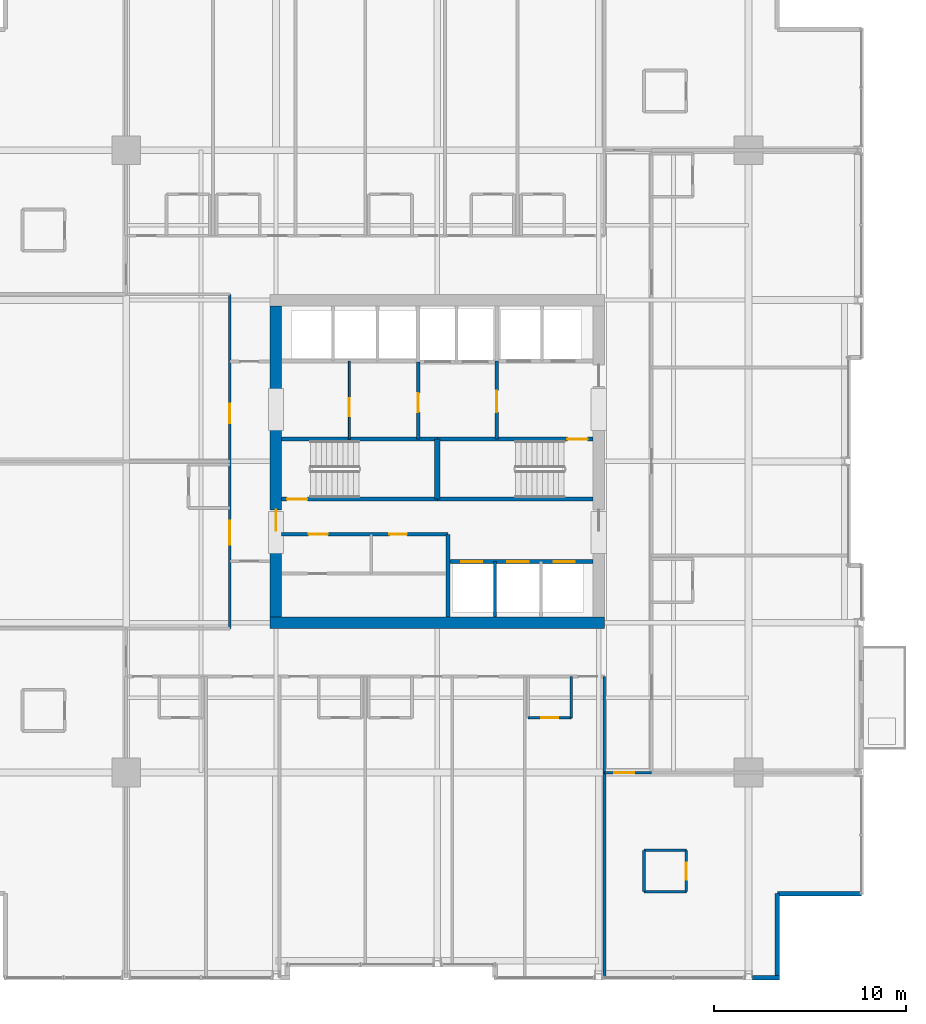
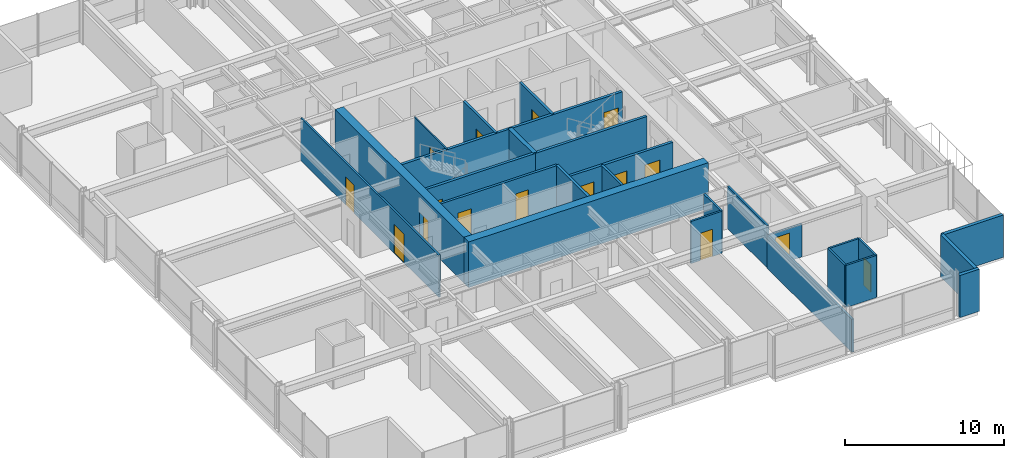
# One storey, part 29 of 34: 27 walls, 16 doors, 16 openings.
"""IFC4 building model written with IfcOpenShell, lengths in metres."""

from ifc_helpers import new_model, si_unit, direction, frame, frame_2d, origin, place, context, subcontext, project, spatial, rectangle, extrude, material, layer, layer_set, type_object, element, fill, save


model = new_model("IFC4")

# Units and contexts
model_context = context("Model", 3, precision=1e-05, world=origin(), true_north=direction((0.0, 1.0)))
body_context = subcontext(model_context, "Body", "Model", "MODEL_VIEW")
ifc_project = project(units=[si_unit("LENGTHUNIT", "METRE"), si_unit("AREAUNIT", "SQUARE_METRE"), si_unit("VOLUMEUNIT", "CUBIC_METRE"), si_unit("PLANEANGLEUNIT", "RADIAN"), si_unit("MASSUNIT", "GRAM", prefix="KILO")], contexts=[model_context])

# Site, building, storey
site_placement = place(None, origin())
site = spatial("IfcSite", under=ifc_project, at=site_placement, CompositionType="ELEMENT")
building_placement = place(site_placement, origin())
building = spatial("IfcBuilding", under=site, at=building_placement, Name="Drelvath Grand Hotel", CompositionType="ELEMENT")
storey_placement = place(building_placement, frame((0.0, 0.0, 133.800048828125)))
storey = spatial("IfcBuildingStorey", under=building, at=storey_placement, Name="L34", CompositionType="ELEMENT", Elevation=133.800048828125)

# Wall, opening, door
ifc_material_1 = material(Name="Gypsum Partition Board")
ifc_layer_1 = layer(ifc_material_1, 0.10009765625)
ifc_layer_set_1 = layer_set([ifc_layer_1], Name="Gypsum Partition Board")
wall_type_1 = type_object("IfcWallType", Name="Core Closet Partition 100", PredefinedType="PARTITIONING", material=ifc_layer_set_1)
wall_1_placement = place(storey_placement, frame((-4.580078125, 28.159912109375, 0.0), z_axis=(0.0, 0.0, 1.0), x_axis=(0.0, 1.0, 0.0)))
wall_1 = element("IfcWall", 1, at=wall_1_placement, inside=storey, type_object=wall_type_1, Name="L34 Core Closet Divider", PredefinedType="PARTITIONING", context=body_context, shape_type="SweptSolid", body=[
    extrude(rectangle(XDim=4.06005859375, YDim=0.10009765625, at=frame_2d((2.030029296875, 0.0))), origin(), (0.0, 0.0, 1.0), 3.239990234375),
])
opening_1_placement = place(wall_1_placement, frame((1.199951171875, 0.0, 0.0)))
opening_1 = element("IfcOpeningElement", 2, at=opening_1_placement, cuts=wall_1, Name="Opening D-T2G5-010", PredefinedType="OPENING", context=body_context, shape_type="SweptSolid", body=[
    extrude(rectangle(XDim=0.919921875, YDim=2.10009765625, at=frame_2d((0.4599609375, 1.050048828125))), frame((0.0, 0.06005859375, 0.0), z_axis=(0.0, -1.0, 0.0), x_axis=(1.0, 0.0, 0.0)), (0.0, 0.0, 1.0), 0.1201171875),
])
ifc_material_2 = material(Name="Painted Steel S275", Category="steel")
door_type_1 = type_object("IfcDoorType", Name="Staff Utility Door 920x2100", OperationType="NOTDEFINED", PredefinedType="DOOR", material=ifc_material_2)
door_1_placement = place(opening_1_placement, origin())
door_1 = element("IfcDoor", 3, at=door_1_placement, inside=storey, type_object=door_type_1, Name="L34 Electrical Closet Door", OperationType="SINGLE_SWING_RIGHT", OverallHeight=2.10009765625, OverallWidth=0.919921875, PredefinedType="DOOR", context=body_context, shape_type="SweptSolid", body=[
    extrude(rectangle(XDim=0.919921875, YDim=2.10009765625, at=frame_2d((0.4599609375, 1.050048828125))), frame((0.0, 0.02490234375, 0.0), z_axis=(0.0, -1.0, 0.0), x_axis=(1.0, 0.0, 0.0)), (0.0, 0.0, 1.0), 0.050048828125),
])
fill(opening_1, door_1)

# Wall, openings, doors
ifc_material_3 = material(Name="Concrete C40/50", Category="concrete")
ifc_layer_2 = layer(ifc_material_3, 0.199951171875)
ifc_layer_set_2 = layer_set([ifc_layer_2], Name="Concrete C40/50")
wall_type_2 = type_object("IfcWallType", Name="Core Hoistway Fire Wall 200", PredefinedType="SOLIDWALL", material=ifc_layer_set_2)
wall_2_placement = place(storey_placement, frame((8.10009765625, 21.780029296875, 0.0), z_axis=(0.0, 0.0, 1.0), x_axis=(-1.0, 0.0, 0.0)))
wall_2 = element("IfcWall", 4, at=wall_2_placement, inside=storey, type_object=wall_type_2, Name="L34 Bank 2 Hoistway Wall", PredefinedType="SOLIDWALL", context=body_context, shape_type="SweptSolid", body=[
    extrude(rectangle(XDim=7.550048828125, YDim=0.199951171875, at=frame_2d((3.77490234375, 0.0))), origin(), (0.0, 0.0, 1.0), 3.239990234375),
])
opening_2_placement = place(wall_2_placement, frame((5.75, 0.0, 0.0)))
opening_2 = element("IfcOpeningElement", 5, at=opening_2_placement, cuts=wall_2, Name="Opening LD-PE-4", PredefinedType="OPENING", context=body_context, shape_type="SweptSolid", body=[
    extrude(rectangle(XDim=1.10009765625, YDim=2.199951171875, at=frame_2d((0.550048828125, 1.10009765625))), frame((0.0, 0.10986328125, 0.0), z_axis=(0.0, -1.0, 0.0), x_axis=(1.0, 0.0, 0.0)), (0.0, 0.0, 1.0), 0.219970703125),
])
opening_3_placement = place(wall_2_placement, frame((3.35009765625, 0.0, 0.0)))
opening_3 = element("IfcOpeningElement", 6, at=opening_3_placement, cuts=wall_2, Name="Opening LD-PE-5", PredefinedType="OPENING", context=body_context, shape_type="SweptSolid", body=[
    extrude(rectangle(XDim=1.10009765625, YDim=2.199951171875, at=frame_2d((0.550048828125, 1.10009765625))), frame((0.0, 0.10986328125, 0.0), z_axis=(0.0, -1.0, 0.0), x_axis=(1.0, 0.0, 0.0)), (0.0, 0.0, 1.0), 0.219970703125),
])
opening_4_placement = place(wall_2_placement, frame((0.949951171875, 0.0, 0.0)))
opening_4 = element("IfcOpeningElement", 7, at=opening_4_placement, cuts=wall_2, Name="Opening LD-PE-6", PredefinedType="OPENING", context=body_context, shape_type="SweptSolid", body=[
    extrude(rectangle(XDim=1.10009765625, YDim=2.199951171875, at=frame_2d((0.550048828125, 1.10009765625))), frame((0.0, 0.10986328125, 0.0), z_axis=(0.0, -1.0, 0.0), x_axis=(1.0, 0.0, 0.0)), (0.0, 0.0, 1.0), 0.219970703125),
])
ifc_material_4 = material(Name="Stainless Steel S355", Category="steel")
door_type_2 = type_object("IfcDoorType", Name="Passenger Lift Sliding Landing Door 1100x2200", OperationType="NOTDEFINED", PredefinedType="DOOR", material=ifc_material_4)
door_2_placement = place(opening_2_placement, origin())
door_2 = element("IfcDoor", 8, at=door_2_placement, inside=storey, type_object=door_type_2, Name="L34 Lift PE-4 Landing Door", OperationType="SLIDING_TO_LEFT", OverallHeight=2.199951171875, OverallWidth=1.10009765625, PredefinedType="DOOR", context=body_context, shape_type="SweptSolid", body=[
    extrude(rectangle(XDim=1.10009765625, YDim=2.199951171875, at=frame_2d((0.550048828125, 1.10009765625))), frame((0.0, 0.02490234375, 0.0), z_axis=(0.0, -1.0, 0.0), x_axis=(1.0, 0.0, 0.0)), (0.0, 0.0, 1.0), 0.050048828125),
])
fill(opening_2, door_2)
door_3_placement = place(opening_3_placement, origin())
door_3 = element("IfcDoor", 9, at=door_3_placement, inside=storey, type_object=door_type_2, Name="L34 Lift PE-5 Landing Door", OperationType="SLIDING_TO_LEFT", OverallHeight=2.199951171875, OverallWidth=1.10009765625, PredefinedType="DOOR", context=body_context, shape_type="SweptSolid", body=[
    extrude(rectangle(XDim=1.10009765625, YDim=2.199951171875, at=frame_2d((0.550048828125, 1.10009765625))), frame((0.0, 0.02490234375, 0.0), z_axis=(0.0, -1.0, 0.0), x_axis=(1.0, 0.0, 0.0)), (0.0, 0.0, 1.0), 0.050048828125),
])
fill(opening_3, door_3)
door_4_placement = place(opening_4_placement, origin())
door_4 = element("IfcDoor", 10, at=door_4_placement, inside=storey, type_object=door_type_2, Name="L34 Lift PE-6 Landing Door", OperationType="SLIDING_TO_LEFT", OverallHeight=2.199951171875, OverallWidth=1.10009765625, PredefinedType="DOOR", context=body_context, shape_type="SweptSolid", body=[
    extrude(rectangle(XDim=1.10009765625, YDim=2.199951171875, at=frame_2d((0.550048828125, 1.10009765625))), frame((0.0, 0.02490234375, 0.0), z_axis=(0.0, -1.0, 0.0), x_axis=(1.0, 0.0, 0.0)), (0.0, 0.0, 1.0), 0.050048828125),
])
fill(opening_4, door_4)

# Wall
wall_3_placement = place(storey_placement, frame((0.550048828125, 18.89990234375, 0.0), z_axis=(0.0, 0.0, 1.0), x_axis=(0.0, 1.0, 0.0)))
element("IfcWall", 11, at=wall_3_placement, inside=storey, type_object=wall_type_2, Name="L34 Bank 2 West Wall", PredefinedType="SOLIDWALL", context=body_context, shape_type="SweptSolid", body=[
    extrude(rectangle(XDim=4.300048828125, YDim=0.199951171875, at=frame_2d((2.14990234375, 0.0))), origin(), (0.0, 0.0, 1.0), 3.239990234375),
])

# Wall, opening, door
ifc_layer_3 = layer(ifc_material_3, 0.199951171875)
ifc_layer_set_3 = layer_set([ifc_layer_3], Name="Concrete C40/50")
wall_type_3 = type_object("IfcWallType", Name="Core Shaft Fire Wall 200", PredefinedType="SOLIDWALL", material=ifc_layer_set_3)
wall_4_placement = place(storey_placement, frame((-8.10009765625, 25.0400390625, 0.0), z_axis=(0.0, 0.0, 1.0), x_axis=(1.0, 0.0, 0.0)))
wall_4 = element("IfcWall", 12, at=wall_4_placement, inside=storey, type_object=wall_type_3, Name="L34 Stair ST-1 South Wall", PredefinedType="SOLIDWALL", context=body_context, shape_type="SweptSolid", body=[
    extrude(rectangle(XDim=8.10009765625, YDim=0.199951171875, at=frame_2d((4.050048828125, 0.0))), origin(), (0.0, 0.0, 1.0), 3.239990234375),
])
opening_5_placement = place(wall_4_placement, frame((0.280029296875, 0.0, 0.0)))
opening_5 = element("IfcOpeningElement", 13, at=opening_5_placement, cuts=wall_4, Name="Opening D-T2G5-001", PredefinedType="OPENING", context=body_context, shape_type="SweptSolid", body=[
    extrude(rectangle(XDim=1.050048828125, YDim=2.10009765625, at=frame_2d((0.52490234375, 1.050048828125))), frame((0.0, 0.10986328125, 0.0), z_axis=(0.0, -1.0, 0.0), x_axis=(1.0, 0.0, 0.0)), (0.0, 0.0, 1.0), 0.219970703125),
])
door_type_3 = type_object("IfcDoorType", Name="Tower Stairwell Fire Door 1050x2100", OperationType="NOTDEFINED", PredefinedType="DOOR", material=ifc_material_2)
door_5_placement = place(opening_5_placement, origin())
door_5 = element("IfcDoor", 14, at=door_5_placement, inside=storey, type_object=door_type_3, Name="L34 Exit Stair ST-1 Door", OperationType="SINGLE_SWING_LEFT", OverallHeight=2.10009765625, OverallWidth=1.050048828125, PredefinedType="DOOR", context=body_context, shape_type="SweptSolid", body=[
    extrude(rectangle(XDim=1.050048828125, YDim=2.10009765625, at=frame_2d((0.52490234375, 1.050048828125))), frame((0.0, 0.02490234375, 0.0), z_axis=(0.0, -1.0, 0.0), x_axis=(1.0, 0.0, 0.0)), (0.0, 0.0, 1.0), 0.050048828125),
])
fill(opening_5, door_5)

# Walls
for number, where, z_axis, x_axis, name in (
    (15, (-8.10009765625, 28.159912109375, 0.0), (0.0, 0.0, 1.0), (1.0, 0.0, 0.0), "L34 Stair ST-1 North Wall"),
    (16, (0.0, 25.0400390625, 0.0), (0.0, 0.0, 1.0), (1.0, 0.0, 0.0), "L34 Stair ST-2 South Wall"),
):
    element("IfcWall", number, at=place(storey_placement, frame(where, z_axis=z_axis, x_axis=x_axis)), inside=storey, type_object=wall_type_3, Name=name, PredefinedType="SOLIDWALL", context=body_context, shape_type="SweptSolid", body=[
        extrude(rectangle(XDim=8.10009765625, YDim=0.199951171875, at=frame_2d((4.050048828125, 0.0))), origin(), (0.0, 0.0, 1.0), 3.239990234375),
    ])

# Wall, opening, door
wall_5_placement = place(storey_placement, frame((8.10009765625, 28.159912109375, 0.0), z_axis=(0.0, 0.0, 1.0), x_axis=(-1.0, 0.0, 0.0)))
wall_5 = element("IfcWall", 17, at=wall_5_placement, inside=storey, type_object=wall_type_3, Name="L34 Stair ST-2 North Wall", PredefinedType="SOLIDWALL", context=body_context, shape_type="SweptSolid", body=[
    extrude(rectangle(XDim=8.10009765625, YDim=0.199951171875, at=frame_2d((4.050048828125, 0.0))), origin(), (0.0, 0.0, 1.0), 3.239990234375),
])
opening_6_placement = place(wall_5_placement, frame((0.280029296875, 0.0, 0.0)))
opening_6 = element("IfcOpeningElement", 18, at=opening_6_placement, cuts=wall_5, Name="Opening D-T2G5-002", PredefinedType="OPENING", context=body_context, shape_type="SweptSolid", body=[
    extrude(rectangle(XDim=1.050048828125, YDim=2.10009765625, at=frame_2d((0.52490234375, 1.050048828125))), frame((0.0, 0.10986328125, 0.0), z_axis=(0.0, -1.0, 0.0), x_axis=(1.0, 0.0, 0.0)), (0.0, 0.0, 1.0), 0.219970703125),
])
door_6_placement = place(opening_6_placement, origin())
door_6 = element("IfcDoor", 19, at=door_6_placement, inside=storey, type_object=door_type_3, Name="L34 Exit Stair ST-2 Door", OperationType="SINGLE_SWING_LEFT", OverallHeight=2.10009765625, OverallWidth=1.050048828125, PredefinedType="DOOR", context=body_context, shape_type="SweptSolid", body=[
    extrude(rectangle(XDim=1.050048828125, YDim=2.10009765625, at=frame_2d((0.52490234375, 1.050048828125))), frame((0.0, 0.02490234375, 0.0), z_axis=(0.0, -1.0, 0.0), x_axis=(1.0, 0.0, 0.0)), (0.0, 0.0, 1.0), 0.050048828125),
])
fill(opening_6, door_6)

# Walls
ifc_layer_4 = layer(ifc_material_3, 0.300048828125)
ifc_layer_set_4 = layer_set([ifc_layer_4], Name="Concrete C40/50")
wall_type_4 = type_object("IfcWallType", Name="Core Shaft Fire Wall 300", PredefinedType="SOLIDWALL", material=ifc_layer_set_4)
wall_6_placement = place(storey_placement, frame((0.0, 25.0400390625, 0.0), z_axis=(0.0, 0.0, 1.0), x_axis=(0.0, 1.0, 0.0)))
element("IfcWall", 20, at=wall_6_placement, inside=storey, type_object=wall_type_4, Name="L34 Core Stair Divider Wall", PredefinedType="SOLIDWALL", context=body_context, shape_type="SweptSolid", body=[
    extrude(rectangle(XDim=3.119873046875, YDim=0.300048828125, at=frame_2d((1.56005859375, 0.0))), origin(), (0.0, 0.0, 1.0), 3.239990234375),
])
ifc_material_5 = material(Name="Gypsum Fireboard Partition")
ifc_layer_5 = layer(ifc_material_5, 0.1650390625)
ifc_layer_set_5 = layer_set([ifc_layer_5], Name="Gypsum Fireboard Partition")
wall_type_5 = type_object("IfcWallType", Name="Core Shaft Partition 165", PredefinedType="PARTITIONING", material=ifc_layer_set_5)
wall_7_placement = place(storey_placement, frame((3.0, 18.89990234375, 0.0), z_axis=(0.0, 0.0, 1.0), x_axis=(0.0, 1.0, 0.0)))
element("IfcWall", 21, at=wall_7_placement, inside=storey, type_object=wall_type_5, Name="L34 Lift PE-4/5 Divider", PredefinedType="PARTITIONING", context=body_context, shape_type="SweptSolid", body=[
    extrude(rectangle(XDim=2.880126953125, YDim=0.1650390625, at=frame_2d((1.43994140625, 0.0))), origin(), (0.0, 0.0, 1.0), 3.239990234375),
])
ifc_layer_6 = layer(ifc_material_5, 0.135009765625)
ifc_layer_set_6 = layer_set([ifc_layer_6], Name="Gypsum Fireboard Partition")
wall_type_6 = type_object("IfcWallType", Name="Corridor Fire Barrier Wall 135", PredefinedType="PARTITIONING", material=ifc_layer_set_6)
wall_8_placement = place(storey_placement, frame((8.699951171875, 10.800048828125, 0.0), z_axis=(0.0, 0.0, 1.0), x_axis=(0.0, 1.0, 0.0)))
element("IfcWall", 22, at=wall_8_placement, inside=storey, type_object=wall_type_6, Name="L34 East Spine South Inner Wall", PredefinedType="PARTITIONING", context=body_context, shape_type="SweptSolid", body=[
    extrude(rectangle(XDim=5.0, YDim=0.135009765625, at=frame_2d((2.5, 0.0))), origin(), (0.0, 0.0, 1.0), 3.239990234375),
])

# Wall, openings, doors
wall_9_placement = place(storey_placement, frame((-10.800048828125, 18.300048828125, 0.0), z_axis=(0.0, 0.0, 1.0), x_axis=(0.0, 1.0, 0.0)))
wall_9 = element("IfcWall", 23, at=wall_9_placement, inside=storey, type_object=wall_type_6, Name="L34 West Spine Wall", PredefinedType="PARTITIONING", context=body_context, shape_type="SweptSolid", body=[
    extrude(rectangle(XDim=17.39990234375, YDim=0.135009765625, at=frame_2d((8.699951171875, 0.0))), origin(), (0.0, 0.0, 1.0), 3.239990234375),
])
opening_7_placement = place(wall_9_placement, frame((4.35498046875, 0.0, 0.0)))
opening_7 = element("IfcOpeningElement", 24, at=opening_7_placement, cuts=wall_9, Name="Opening D-T2G5-056", PredefinedType="OPENING", context=body_context, shape_type="SweptSolid", body=[
    extrude(rectangle(XDim=1.260009765625, YDim=2.199951171875, at=frame_2d((0.6298828125, 1.10009765625))), frame((0.0, 0.077392578125, 0.0), z_axis=(0.0, -1.0, 0.0), x_axis=(1.0, 0.0, 0.0)), (0.0, 0.0, 1.0), 0.155029296875),
])
opening_8_placement = place(wall_9_placement, frame((10.68994140625, 0.0, 0.0)))
opening_8 = element("IfcOpeningElement", 25, at=opening_8_placement, cuts=wall_9, Name="Opening D-T2G5-057", PredefinedType="OPENING", context=body_context, shape_type="SweptSolid", body=[
    extrude(rectangle(XDim=1.02001953125, YDim=2.14990234375, at=frame_2d((0.510009765625, 1.074951171875))), frame((0.0, 0.077392578125, 0.0), z_axis=(0.0, -1.0, 0.0), x_axis=(1.0, 0.0, 0.0)), (0.0, 0.0, 1.0), 0.155029296875),
])
ifc_material_6 = material(Name="Hardwood Walnut Timber", Category="wood")
door_type_4 = type_object("IfcDoorType", Name="Amenity Meeting Fire Door 1020x2150", OperationType="NOTDEFINED", PredefinedType="DOOR", material=ifc_material_6)
door_7_placement = place(opening_8_placement, origin())
door_7 = element("IfcDoor", 26, at=door_7_placement, inside=storey, type_object=door_type_4, Name="L34 Spa Hydrotherapy Room Entry Door", OperationType="SINGLE_SWING_RIGHT", OverallHeight=2.14990234375, OverallWidth=1.02001953125, PredefinedType="DOOR", context=body_context, shape_type="SweptSolid", body=[
    extrude(rectangle(XDim=1.02001953125, YDim=2.14990234375, at=frame_2d((0.510009765625, 1.074951171875))), frame((0.0, 0.02490234375, 0.0), z_axis=(0.0, -1.0, 0.0), x_axis=(1.0, 0.0, 0.0)), (0.0, 0.0, 1.0), 0.050048828125),
])
fill(opening_8, door_7)
door_type_5 = type_object("IfcDoorType", Name="Suite Entrance Fire Door 1260x2200", OperationType="NOTDEFINED", PredefinedType="DOOR", material=ifc_material_6)
door_8_placement = place(opening_7_placement, origin())
door_8 = element("IfcDoor", 27, at=door_8_placement, inside=storey, type_object=door_type_5, Name="L34 Corner Suite Entry Door", OperationType="SINGLE_SWING_LEFT", OverallHeight=2.199951171875, OverallWidth=1.260009765625, PredefinedType="DOOR", context=body_context, shape_type="SweptSolid", body=[
    extrude(rectangle(XDim=1.260009765625, YDim=2.199951171875, at=frame_2d((0.6298828125, 1.10009765625))), frame((0.0, 0.02490234375, 0.0), z_axis=(0.0, -1.0, 0.0), x_axis=(1.0, 0.0, 0.0)), (0.0, 0.0, 1.0), 0.050048828125),
])
fill(opening_7, door_8)

# Wall, opening, door
wall_10_placement = place(storey_placement, frame((8.699951171875, 10.800048828125, 0.0), z_axis=(0.0, 0.0, 1.0), x_axis=(1.0, 0.0, 0.0)))
wall_10 = element("IfcWall", 28, at=wall_10_placement, inside=storey, type_object=wall_type_6, Name="L34 East Spine South End", PredefinedType="PARTITIONING", context=body_context, shape_type="SweptSolid", body=[
    extrude(rectangle(XDim=2.449951171875, YDim=0.135009765625, at=frame_2d((1.22509765625, 0.0))), origin(), (0.0, 0.0, 1.0), 2.529541015625),
])
opening_9_placement = place(wall_10_placement, frame((0.52001953125, 0.0, 0.0)))
opening_9 = element("IfcOpeningElement", 29, at=opening_9_placement, cuts=wall_10, Name="Opening D-T2G5-026", PredefinedType="OPENING", context=body_context, shape_type="SweptSolid", body=[
    extrude(rectangle(XDim=1.02001953125, YDim=2.14990234375, at=frame_2d((0.510009765625, 1.074951171875))), frame((0.0, 0.077392578125, 0.0), z_axis=(0.0, -1.0, 0.0), x_axis=(1.0, 0.0, 0.0)), (0.0, 0.0, 1.0), 0.155029296875),
])
door_9_placement = place(opening_9_placement, origin())
door_9 = element("IfcDoor", 30, at=door_9_placement, inside=storey, type_object=door_type_4, Name="L34 Corner Suite Entry Door", OperationType="SINGLE_SWING_LEFT", OverallHeight=2.14990234375, OverallWidth=1.02001953125, PredefinedType="DOOR", context=body_context, shape_type="SweptSolid", body=[
    extrude(rectangle(XDim=1.02001953125, YDim=2.14990234375, at=frame_2d((0.510009765625, 1.074951171875))), frame((0.0, 0.02490234375, 0.0), z_axis=(0.0, -1.0, 0.0), x_axis=(1.0, 0.0, 0.0)), (0.0, 0.0, 1.0), 0.050048828125),
])
fill(opening_9, door_9)

# Walls
ifc_material_7 = material(Name="Moisture-Resistant Gypsum Board")
ifc_layer_7 = layer(ifc_material_7, 0.139892578125)
ifc_layer_set_7 = layer_set([ifc_layer_7], Name="Moisture-Resistant Gypsum Board")
wall_type_7 = type_object("IfcWallType", Name="En-Suite Plumbing Wall 140", PredefinedType="PLUMBINGWALL", material=ifc_layer_set_7)
for number, where, z_axis, x_axis, name in (
    (31, (10.760009765625, 4.60009765625, 0.0), (0.0, 0.0, 1.0), (1.0, 0.0, 0.0), "L34 Corner En-Suite South"),
    (32, (10.760009765625, 6.75, 0.0), (0.0, 0.0, 1.0), (1.0, 0.0, 0.0), "L34 Corner En-Suite North"),
):
    element("IfcWall", number, at=place(storey_placement, frame(where, z_axis=z_axis, x_axis=x_axis)), inside=storey, type_object=wall_type_7, Name=name, PredefinedType="PLUMBINGWALL", context=body_context, shape_type="SweptSolid", body=[
        extrude(rectangle(XDim=2.199951171875, YDim=0.139892578125, at=frame_2d((1.10009765625, 0.0))), origin(), (0.0, 0.0, 1.0), 3.239990234375),
    ])
wall_11_placement = place(storey_placement, frame((10.760009765625, 4.60009765625, 0.0), z_axis=(0.0, 0.0, 1.0), x_axis=(0.0, 1.0, 0.0)))
element("IfcWall", 33, at=wall_11_placement, inside=storey, type_object=wall_type_7, Name="L34 Corner En-Suite West", PredefinedType="PLUMBINGWALL", context=body_context, shape_type="SweptSolid", body=[
    extrude(rectangle(XDim=2.14990234375, YDim=0.139892578125, at=frame_2d((1.074951171875, 0.0))), origin(), (0.0, 0.0, 1.0), 3.239990234375),
])

# Wall, opening, door
wall_12_placement = place(storey_placement, frame((12.9599609375, 4.60009765625, 0.0), z_axis=(0.0, 0.0, 1.0), x_axis=(0.0, 1.0, 0.0)))
wall_12 = element("IfcWall", 34, at=wall_12_placement, inside=storey, type_object=wall_type_7, Name="L34 Corner En-Suite East", PredefinedType="PLUMBINGWALL", context=body_context, shape_type="SweptSolid", body=[
    extrude(rectangle(XDim=2.14990234375, YDim=0.139892578125, at=frame_2d((1.074951171875, 0.0))), origin(), (0.0, 0.0, 1.0), 3.239990234375),
])
opening_10_placement = place(wall_12_placement, frame((0.6201171875, 0.0, 0.0)))
opening_10 = element("IfcOpeningElement", 35, at=opening_10_placement, cuts=wall_12, Name="Opening D-T2G5-025", PredefinedType="OPENING", context=body_context, shape_type="SweptSolid", body=[
    extrude(rectangle(XDim=0.8798828125, YDim=2.10009765625, at=frame_2d((0.43994140625, 1.050048828125))), frame((0.0, 0.079833984375, 0.0), z_axis=(0.0, -1.0, 0.0), x_axis=(1.0, 0.0, 0.0)), (0.0, 0.0, 1.0), 0.159912109375),
])
door_type_6 = type_object("IfcDoorType", Name="En-Suite Bathroom Door 880x2100", OperationType="NOTDEFINED", PredefinedType="DOOR", material=ifc_material_6)
door_10_placement = place(opening_10_placement, origin())
door_10 = element("IfcDoor", 36, at=door_10_placement, inside=storey, type_object=door_type_6, Name="L34 Corner En-Suite Door", OperationType="SINGLE_SWING_RIGHT", OverallHeight=2.10009765625, OverallWidth=0.8798828125, PredefinedType="DOOR", context=body_context, shape_type="SweptSolid", body=[
    extrude(rectangle(XDim=0.8798828125, YDim=2.10009765625, at=frame_2d((0.43994140625, 1.050048828125))), frame((0.0, 0.02490234375, 0.0), z_axis=(0.0, -1.0, 0.0), x_axis=(1.0, 0.0, 0.0)), (0.0, 0.0, 1.0), 0.050048828125),
])
fill(opening_10, door_10)

# Wall
wall_13_placement = place(storey_placement, frame((6.97998046875, 15.800048828125, 0.0), z_axis=(0.0, 0.0, 1.0), x_axis=(0.0, -1.0, 0.0)))
element("IfcWall", 37, at=wall_13_placement, inside=storey, type_object=wall_type_7, Name="L34 En-Suite Right Wall", PredefinedType="PLUMBINGWALL", context=body_context, shape_type="SweptSolid", body=[
    extrude(rectangle(XDim=2.150146484375, YDim=0.139892578125, at=frame_2d((1.0751953125, 0.0))), origin(), (0.0, 0.0, 1.0), 3.239990234375),
])

# Wall, opening, door
wall_14_placement = place(storey_placement, frame((4.72998046875, 13.64990234375, 0.0), z_axis=(0.0, 0.0, 1.0), x_axis=(1.0, 0.0, 0.0)))
wall_14 = element("IfcWall", 38, at=wall_14_placement, inside=storey, type_object=wall_type_7, Name="L34 En-Suite Front Wall", PredefinedType="PLUMBINGWALL", context=body_context, shape_type="SweptSolid", body=[
    extrude(rectangle(XDim=2.25, YDim=0.139892578125, at=frame_2d((1.125, 0.0))), origin(), (0.0, 0.0, 1.0), 3.239990234375),
])
opening_11_placement = place(wall_14_placement, frame((0.68505859375, 0.0, 0.0)))
opening_11 = element("IfcOpeningElement", 39, at=opening_11_placement, cuts=wall_14, Name="Opening D-T2G5-037", PredefinedType="OPENING", context=body_context, shape_type="SweptSolid", body=[
    extrude(rectangle(XDim=0.8798828125, YDim=2.10009765625, at=frame_2d((0.43994140625, 1.050048828125))), frame((0.0, 0.079833984375, 0.0), z_axis=(0.0, -1.0, 0.0), x_axis=(1.0, 0.0, 0.0)), (0.0, 0.0, 1.0), 0.159912109375),
])
door_11_placement = place(opening_11_placement, origin())
door_11 = element("IfcDoor", 40, at=door_11_placement, inside=storey, type_object=door_type_6, Name="L34 En-Suite Bathroom Door", OperationType="SINGLE_SWING_RIGHT", OverallHeight=2.10009765625, OverallWidth=0.8798828125, PredefinedType="DOOR", context=body_context, shape_type="SweptSolid", body=[
    extrude(rectangle(XDim=0.8798828125, YDim=2.10009765625, at=frame_2d((0.43994140625, 1.050048828125))), frame((0.0, 0.02490234375, 0.0), z_axis=(0.0, -1.0, 0.0), x_axis=(1.0, 0.0, 0.0)), (0.0, 0.0, 1.0), 0.050048828125),
])
fill(opening_11, door_11)

ifc_layer_8 = layer(ifc_material_5, 0.179931640625)
ifc_layer_set_8 = layer_set([ifc_layer_8], Name="Gypsum Fireboard Partition")
wall_type_8 = type_object("IfcWallType", Name="FSAE Smoke Lobby Fire Wall 180", PredefinedType="SOLIDWALL", material=ifc_layer_set_8)
wall_15_placement = place(storey_placement, frame((3.10009765625, 28.159912109375, 0.0), z_axis=(0.0, 0.0, 1.0), x_axis=(0.0, 1.0, 0.0)))
wall_15 = element("IfcWall", 41, at=wall_15_placement, inside=storey, type_object=wall_type_8, Name="L34 FSAE Smoke Lobby West Wall", PredefinedType="SOLIDWALL", context=body_context, shape_type="SweptSolid", body=[
    extrude(rectangle(XDim=4.06005859375, YDim=0.179931640625, at=frame_2d((2.030029296875, 0.0))), origin(), (0.0, 0.0, 1.0), 3.239990234375),
])
opening_12_placement = place(wall_15_placement, frame((1.39990234375, 0.0, 0.0)))
opening_12 = element("IfcOpeningElement", 42, at=opening_12_placement, cuts=wall_15, Name="Opening D-T2G5-005", PredefinedType="OPENING", context=body_context, shape_type="SweptSolid", body=[
    extrude(rectangle(XDim=1.1201171875, YDim=2.10009765625, at=frame_2d((0.56005859375, 1.050048828125))), frame((0.0, 0.099853515625, 0.0), z_axis=(0.0, -1.0, 0.0), x_axis=(1.0, 0.0, 0.0)), (0.0, 0.0, 1.0), 0.199951171875),
])
door_type_7 = type_object("IfcDoorType", Name="FSAE Smoke Lobby Fire Door 1120x2100", OperationType="NOTDEFINED", PredefinedType="DOOR", material=ifc_material_2)
door_12_placement = place(opening_12_placement, origin())
door_12 = element("IfcDoor", 43, at=door_12_placement, inside=storey, type_object=door_type_7, Name="L34 FSAE Lobby Service Vestibule Door", OperationType="SINGLE_SWING_RIGHT", OverallHeight=2.10009765625, OverallWidth=1.1201171875, PredefinedType="DOOR", context=body_context, shape_type="SweptSolid", body=[
    extrude(rectangle(XDim=1.1201171875, YDim=2.10009765625, at=frame_2d((0.56005859375, 1.050048828125))), frame((0.0, 0.02490234375, 0.0), z_axis=(0.0, -1.0, 0.0), x_axis=(1.0, 0.0, 0.0)), (0.0, 0.0, 1.0), 0.050048828125),
])
fill(opening_12, door_12)

wall_16_placement = place(storey_placement, frame((-1.0, 28.159912109375, 0.0), z_axis=(0.0, 0.0, 1.0), x_axis=(0.0, 1.0, 0.0)))
wall_16 = element("IfcWall", 44, at=wall_16_placement, inside=storey, type_object=wall_type_8, Name="L34 Service Vestibule West Wall", PredefinedType="SOLIDWALL", context=body_context, shape_type="SweptSolid", body=[
    extrude(rectangle(XDim=4.02001953125, YDim=0.179931640625, at=frame_2d((2.010009765625, 0.0))), origin(), (0.0, 0.0, 1.0), 3.239990234375),
])
opening_13_placement = place(wall_16_placement, frame((1.39990234375, 0.0, 0.0)))
opening_13 = element("IfcOpeningElement", 45, at=opening_13_placement, cuts=wall_16, Name="Opening D-T2G5-009", PredefinedType="OPENING", context=body_context, shape_type="SweptSolid", body=[
    extrude(rectangle(XDim=1.0, YDim=2.10009765625, at=frame_2d((0.5, 1.050048828125))), frame((0.0, 0.099853515625, 0.0), z_axis=(0.0, -1.0, 0.0), x_axis=(1.0, 0.0, 0.0)), (0.0, 0.0, 1.0), 0.199951171875),
])
door_type_8 = type_object("IfcDoorType", Name="Core Service Fire Door 1000x2100", OperationType="NOTDEFINED", PredefinedType="DOOR", material=ifc_material_2)
door_13_placement = place(opening_13_placement, origin())
door_13 = element("IfcDoor", 46, at=door_13_placement, inside=storey, type_object=door_type_8, Name="L34 Service Vestibule West Door", OperationType="SINGLE_SWING_LEFT", OverallHeight=2.10009765625, OverallWidth=1.0, PredefinedType="DOOR", context=body_context, shape_type="SweptSolid", body=[
    extrude(rectangle(XDim=1.0, YDim=2.10009765625, at=frame_2d((0.5, 1.050048828125))), frame((0.0, 0.02490234375, 0.0), z_axis=(0.0, -1.0, 0.0), x_axis=(1.0, 0.0, 0.0)), (0.0, 0.0, 1.0), 0.050048828125),
])
fill(opening_13, door_13)

# Wall, openings, doors
wall_17_placement = place(storey_placement, frame((-8.10009765625, 23.199951171875, 0.0), z_axis=(0.0, 0.0, 1.0), x_axis=(1.0, 0.0, 0.0)))
wall_17 = element("IfcWall", 47, at=wall_17_placement, inside=storey, type_object=wall_type_8, Name="L34 Reclaimed Core Room Wall", PredefinedType="SOLIDWALL", context=body_context, shape_type="SweptSolid", body=[
    extrude(rectangle(XDim=8.650146484375, YDim=0.179931640625, at=frame_2d((4.3251953125, 0.0))), origin(), (0.0, 0.0, 1.0), 3.239990234375),
])
opening_14_placement = place(wall_17_placement, frame((1.39990234375, 0.0, 0.0)))
opening_14 = element("IfcOpeningElement", 48, at=opening_14_placement, cuts=wall_17, Name="Opening D-T2G5-016", PredefinedType="OPENING", context=body_context, shape_type="SweptSolid", body=[
    extrude(rectangle(XDim=1.0, YDim=2.10009765625, at=frame_2d((0.5, 1.050048828125))), frame((0.0, 0.099853515625, 0.0), z_axis=(0.0, -1.0, 0.0), x_axis=(1.0, 0.0, 0.0)), (0.0, 0.0, 1.0), 0.199951171875),
])
opening_15_placement = place(wall_17_placement, frame((5.60009765625, 0.0, 0.0)))
opening_15 = element("IfcOpeningElement", 49, at=opening_15_placement, cuts=wall_17, Name="Opening D-T2G5-017", PredefinedType="OPENING", context=body_context, shape_type="SweptSolid", body=[
    extrude(rectangle(XDim=0.919921875, YDim=2.10009765625, at=frame_2d((0.4599609375, 1.050048828125))), frame((0.0, 0.099853515625, 0.0), z_axis=(0.0, -1.0, 0.0), x_axis=(1.0, 0.0, 0.0)), (0.0, 0.0, 1.0), 0.199951171875),
])
door_14_placement = place(opening_14_placement, origin())
door_14 = element("IfcDoor", 50, at=door_14_placement, inside=storey, type_object=door_type_8, Name="L34 Valet Room Door", OperationType="SINGLE_SWING_LEFT", OverallHeight=2.10009765625, OverallWidth=1.0, PredefinedType="DOOR", context=body_context, shape_type="SweptSolid", body=[
    extrude(rectangle(XDim=1.0, YDim=2.10009765625, at=frame_2d((0.5, 1.050048828125))), frame((0.0, 0.02490234375, 0.0), z_axis=(0.0, -1.0, 0.0), x_axis=(1.0, 0.0, 0.0)), (0.0, 0.0, 1.0), 0.050048828125),
])
fill(opening_14, door_14)
door_15_placement = place(opening_15_placement, origin())
door_15 = element("IfcDoor", 51, at=door_15_placement, inside=storey, type_object=door_type_8, Name="L34 Staff WC Door", OperationType="SINGLE_SWING_RIGHT", OverallHeight=2.10009765625, OverallWidth=0.919921875, PredefinedType="DOOR", context=body_context, shape_type="SweptSolid", body=[
    extrude(rectangle(XDim=0.919921875, YDim=2.10009765625, at=frame_2d((0.4599609375, 1.050048828125))), frame((0.0, 0.02490234375, 0.0), z_axis=(0.0, -1.0, 0.0), x_axis=(1.0, 0.0, 0.0)), (0.0, 0.0, 1.0), 0.050048828125),
])
fill(opening_15, door_15)

# Wall
ifc_material_8 = material(Name="Concrete f'c 70 MPa", Category="concrete")
ifc_layer_9 = layer(ifc_material_8, 0.60009765625)
ifc_layer_set_9 = layer_set([ifc_layer_9], Name="Concrete f'c 70 MPa")
wall_type_9 = type_object("IfcWallType", Name="Lower Core RC Shear Wall 600", PredefinedType="SHEAR", material=ifc_layer_set_9)
wall_18_placement = place(storey_placement, frame((8.699951171875, 18.60009765625, 0.0), z_axis=(0.0, 0.0, 1.0), x_axis=(-1.0, 0.0, 0.0)))
element("IfcWall", 52, at=wall_18_placement, inside=storey, type_object=wall_type_9, Name="L34 Central Core Shear Wall S", PredefinedType="SHEAR", context=body_context, shape_type="SweptSolid", body=[
    extrude(rectangle(XDim=17.39990234375, YDim=0.60009765625, at=frame_2d((8.699951171875, 0.0))), origin(), (0.0, 0.0, 1.0), 3.5),
])

# Wall, opening, door
wall_19_placement = place(storey_placement, frame((-8.39990234375, 18.89990234375, 0.0), z_axis=(0.0, 0.0, 1.0), x_axis=(0.0, 1.0, 0.0)))
wall_19 = element("IfcWall", 53, at=wall_19_placement, inside=storey, type_object=wall_type_9, Name="L34 Central Core Shear Wall W", PredefinedType="SHEAR", context=body_context, shape_type="SweptSolid", body=[
    extrude(rectangle(XDim=16.2001953125, YDim=0.60009765625, at=frame_2d((8.10009765625, 0.0))), origin(), (0.0, 0.0, 1.0), 3.5),
])
opening_16_placement = place(wall_19_placement, frame((4.5, 0.0, 0.0)))
opening_16 = element("IfcOpeningElement", 54, at=opening_16_placement, cuts=wall_19, Name="Opening D-T2G5-014", PredefinedType="OPENING", context=body_context, shape_type="SweptSolid", body=[
    extrude(rectangle(XDim=1.080078125, YDim=2.0400390625, at=frame_2d((0.5400390625, 1.02001953125))), frame((0.0, 0.31005859375, 0.0), z_axis=(0.0, -1.0, 0.0), x_axis=(1.0, 0.0, 0.0)), (0.0, 0.0, 1.0), 0.6201171875),
])
door_type_9 = type_object("IfcDoorType", Name="Core Corridor Fire Door 1080x2100", OperationType="NOTDEFINED", PredefinedType="DOOR", material=ifc_material_2)
door_16_placement = place(opening_16_placement, origin())
door_16 = element("IfcDoor", 55, at=door_16_placement, inside=storey, type_object=door_type_9, Name="L34 Mid-Rise Lobby West Door", OperationType="SINGLE_SWING_LEFT", OverallHeight=2.0400390625, OverallWidth=1.080078125, PredefinedType="DOOR", context=body_context, shape_type="SweptSolid", body=[
    extrude(rectangle(XDim=1.080078125, YDim=2.0400390625, at=frame_2d((0.5400390625, 1.02001953125))), frame((0.0, 0.02490234375, 0.0), z_axis=(0.0, -1.0, 0.0), x_axis=(1.0, 0.0, 0.0)), (0.0, 0.0, 1.0), 0.050048828125),
])
fill(opening_16, door_16)

# Walls
ifc_material_9 = material(Name="Gypsum Acoustic Partition")
ifc_layer_10 = layer(ifc_material_9, 0.1650390625)
ifc_layer_set_10 = layer_set([ifc_layer_10], Name="Gypsum Acoustic Partition")
wall_type_10 = type_object("IfcWallType", Name="Suite Demising Wall 165", PredefinedType="PARTITIONING", material=ifc_layer_set_10)
wall_20_placement = place(storey_placement, frame((8.699951171875, 0.1201171875, 0.0), z_axis=(0.0, 0.0, 1.0), x_axis=(0.0, 1.0, 0.0)))
element("IfcWall", 56, at=wall_20_placement, inside=storey, type_object=wall_type_10, Name="L34 SE Suite West Wall", PredefinedType="PARTITIONING", context=body_context, shape_type="SweptSolid", body=[
    extrude(rectangle(XDim=10.679931640625, YDim=0.1650390625, at=frame_2d((5.33984375, 0.0))), origin(), (0.0, 0.0, 1.0), 2.529541015625),
])
ifc_material_10 = material(Name="Pale-Metal Insulated Aluminium Spandrel Assembly", Category="aluminium")
ifc_layer_11 = layer(ifc_material_10, 0.239990234375)
ifc_layer_set_11 = layer_set([ifc_layer_11], Name="Pale-Metal Insulated Aluminium Spandrel Assembly")
wall_type_11 = type_object("IfcWallType", Name="Tower Insulated Metal Spandrel Closure Wall 240", PredefinedType="STANDARD", material=ifc_layer_set_11)
wall_21_placement = place(storey_placement, frame((17.820068359375, 0.1201171875, 0.0), z_axis=(0.0, 0.0, 1.0), x_axis=(-1.0, 0.0, 0.0)))
element("IfcWall", 57, at=wall_21_placement, inside=storey, type_object=wall_type_11, Name="L34 Corner Pier Spandrel Wall SE3", PredefinedType="STANDARD", context=body_context, shape_type="SweptSolid", body=[
    extrude(rectangle(XDim=1.41064453125, YDim=0.239990234375, at=frame_2d((0.705322265625, 0.0))), origin(), (0.0, 0.0, 1.0), 3.239990234375),
])
wall_22_placement = place(storey_placement, frame((22.080078125, 4.5, 0.0), z_axis=(0.0, 0.0, 1.0), x_axis=(-1.0, 0.0, 0.0)))
element("IfcWall", 58, at=wall_22_placement, inside=storey, type_object=wall_type_11, Name="L34 Notched Corner Return Spandrel Wall CSE1", PredefinedType="STANDARD", context=body_context, shape_type="SweptSolid", body=[
    extrude(rectangle(XDim=4.380126953125, YDim=0.239990234375, at=frame_2d((2.18994140625, 0.0))), origin(), (0.0, 0.0, 1.0), 3.239990234375),
])
wall_23_placement = place(storey_placement, frame((17.699951171875, 4.5, 0.0), z_axis=(0.0, 0.0, 1.0), x_axis=(0.0, -1.0, 0.0)))
element("IfcWall", 59, at=wall_23_placement, inside=storey, type_object=wall_type_11, Name="L34 Notched Corner Return Spandrel Wall CSE2", PredefinedType="STANDARD", context=body_context, shape_type="SweptSolid", body=[
    extrude(rectangle(XDim=4.260009765625, YDim=0.239990234375, at=frame_2d((2.1298828125, 0.0))), origin(), (0.0, 0.0, 1.0), 3.239990234375),
])

save(model, "model.ifc")
